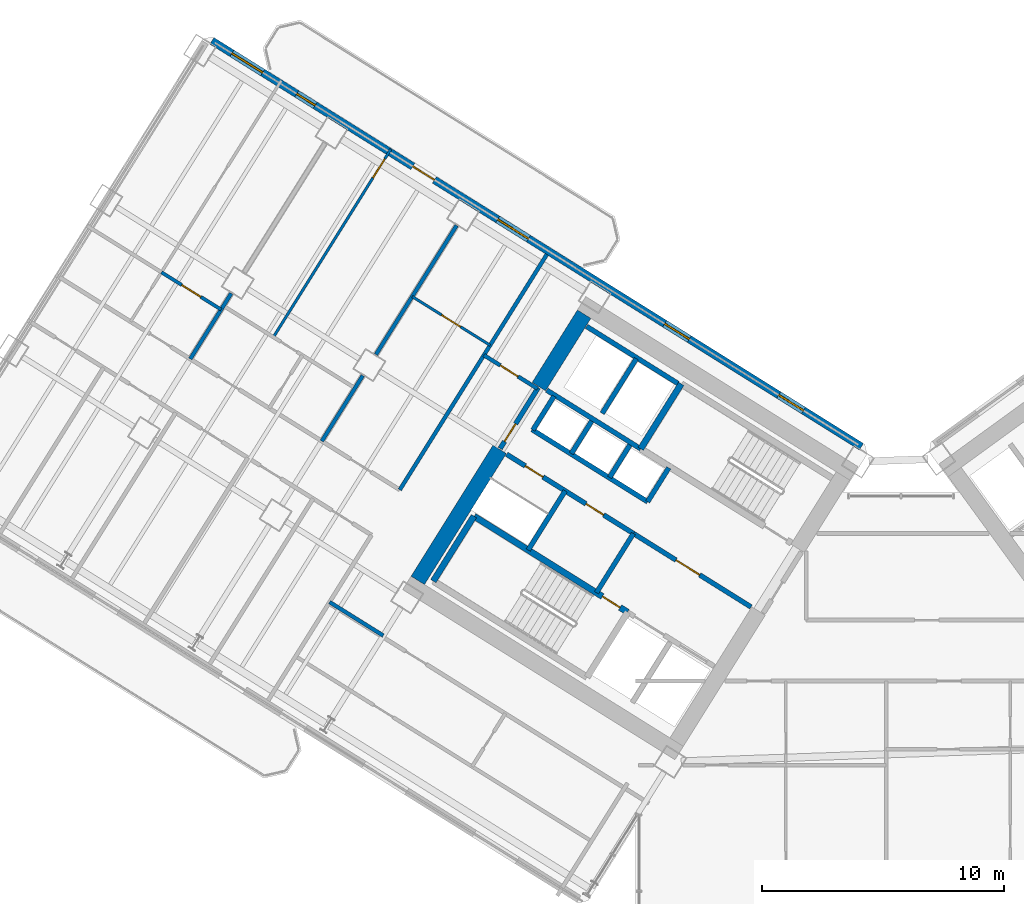
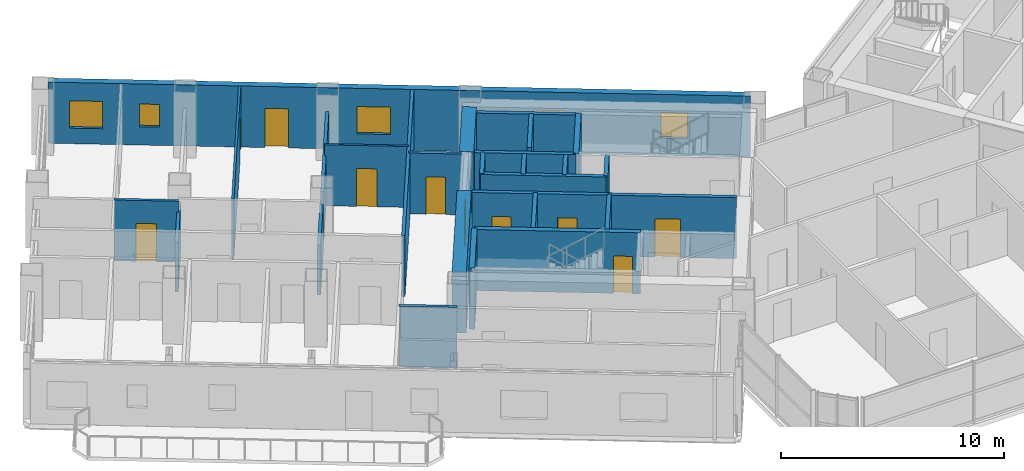
# One storey, part 16 of 28: 28 walls, 10 doors, 5 windows, 15 openings.
"""IFC4 building model written with IfcOpenShell, lengths in metres."""

from ifc_helpers import new_model, si_unit, direction, frame, frame_2d, origin, place, context, subcontext, project, spatial, rectangle, extrude, source, transform, mapped, material, layer, layer_set, type_object, element, fill, save


model = new_model("IFC4")

# Units and contexts
model_context = context("Model", 3, precision=1e-05, world=origin(), true_north=direction((0.0, 1.0)))
body_context = subcontext(model_context, "Body", "Model", "MODEL_VIEW")
ifc_project = project(units=[si_unit("LENGTHUNIT", "METRE"), si_unit("AREAUNIT", "SQUARE_METRE"), si_unit("VOLUMEUNIT", "CUBIC_METRE"), si_unit("PLANEANGLEUNIT", "RADIAN"), si_unit("MASSUNIT", "GRAM", prefix="KILO")], contexts=[model_context])

# Site, building, storey
site_placement = place(None, origin())
site = spatial("IfcSite", under=ifc_project, at=site_placement, CompositionType="ELEMENT")
building_placement = place(site_placement, origin())
building = spatial("IfcBuilding", under=site, at=building_placement, Name="Tlacorven Tower", CompositionType="ELEMENT")
storey_placement = place(building_placement, frame((0.0, 0.0, 56.39990234375)))
storey = spatial("IfcBuildingStorey", under=building, at=storey_placement, Name="L14", CompositionType="ELEMENT", Elevation=56.39990234375)

# Walls
ifc_material_1 = material(Name="Concrete C60/75", Category="concrete")
ifc_layer_1 = layer(ifc_material_1, 0.64990234375)
ifc_layer_set_1 = layer_set([ifc_layer_1], Name="Concrete C60/75")
wall_type_1 = type_object("IfcWallType", Name="WL-COR-650", PredefinedType="SHEAR", material=ifc_layer_set_1)
wall_1_placement = place(storey_placement, frame((29.49072265625, 30.5517578125, 0.0), z_axis=(0.0, 0.0, 1.0), x_axis=(-0.529893103397, -0.8480644427, 0.0)))
element("IfcWall", 1, at=wall_1_placement, inside=storey, type_object=wall_type_1, Name="L14 W core end wall E2.1", PredefinedType="SHEAR", context=body_context, shape_type="SweptSolid", body=[
    extrude(rectangle(XDim=3.525146484375, YDim=0.64990234375, at=frame_2d((1.7626953125, 0.0))), origin(), (0.0, 0.0, 1.0), 3.35009765625),
])
wall_2_placement = place(storey_placement, frame((26.006591796875, 24.975830078125, 0.0), z_axis=(0.0, 0.0, 1.0), x_axis=(-0.529916319127, -0.848049936456, 0.0)))
element("IfcWall", 2, at=wall_2_placement, inside=storey, type_object=wall_type_1, Name="L14 W core end wall E2.2", PredefinedType="SHEAR", context=body_context, shape_type="SweptSolid", body=[
    extrude(rectangle(XDim=6.375, YDim=0.64990234375, at=frame_2d((3.1875, 0.0))), origin(), (0.0, 0.0, 1.0), 3.35009765625),
])

# Wall, opening, door
ifc_material_2 = material(Name="Gypsum plasterboard acoustic partition", Category="gypsum")
ifc_layer_2 = layer(ifc_material_2, 0.159912109375)
ifc_layer_set_2 = layer_set([ifc_layer_2], Name="Gypsum plasterboard acoustic partition")
wall_type_2 = type_object("IfcWallType", Name="WL-DEM-160", PredefinedType="PARTITIONING", material=ifc_layer_set_2)
wall_3_placement = place(storey_placement, frame((27.56982421875, 27.4775390625, 0.0), z_axis=(0.0, 0.0, 1.0), x_axis=(-0.848050851465, 0.529914854792, 0.0)))
wall_3 = element("IfcWall", 3, at=wall_3_placement, inside=storey, type_object=wall_type_2, Name="L14 partition 47", PredefinedType="PARTITIONING", context=body_context, shape_type="SweptSolid", body=[
    extrude(rectangle(XDim=2.60986328125, YDim=0.159912109375, at=frame_2d((1.304931640625, 0.0))), origin(), (0.0, 0.0, 1.0), 3.340087890625),
])
opening_1_placement = place(wall_3_placement, frame((0.949951171875, 0.0, 0.0)))
opening_1 = element("IfcOpeningElement", 4, at=opening_1_placement, cuts=wall_3, Name="Opening D19", PredefinedType="OPENING", context=body_context, shape_type="SweptSolid", body=[
    extrude(rectangle(XDim=0.860107421875, YDim=2.050048828125, at=frame_2d((0.43017578125, 1.02490234375))), frame((0.0, 0.08984375, 0.0), z_axis=(0.0, -1.0, 0.0), x_axis=(1.0, 0.0, 0.0)), (0.0, 0.0, 1.0), 0.179931640625),
])
ifc_material_3 = material(Name="Fire-rated steel door assembly", Category="steel")
door_type_1 = type_object("IfcDoorType", Name="DR-RSR-FD60-0860", OperationType="NOTDEFINED", PredefinedType="DOOR", material=ifc_material_3)
shared_shape_1 = source(origin(), body_context, "Body", "SweptSolid", [
    extrude(rectangle(XDim=0.860107421875, YDim=2.050048828125, at=frame_2d((0.43017578125, 1.02490234375))), frame((0.0, 0.02490234375, 0.0), z_axis=(0.0, -1.0, 0.0), x_axis=(1.0, 0.0, 0.0)), (0.0, 0.0, 1.0), 0.050048828125),
])
door_1_placement = place(opening_1_placement, frame((0.860107421875, 0.0, 0.0), z_axis=(0.0, 0.0, 1.0), x_axis=(-1.0, 0.0, 0.0)))
door_1 = element("IfcDoor", 5, at=door_1_placement, inside=storey, type_object=door_type_1, Name="L14 door 019", OperationType="SINGLE_SWING_RIGHT", OverallHeight=2.050048828125, OverallWidth=0.860107421875, PredefinedType="DOOR", context=body_context, shape_type="MappedRepresentation", body=[
    mapped(shared_shape_1, transform((0.0, 0.0, 0.0), scale=1.0)),
])
fill(opening_1, door_1)

# Walls
wall_4_placement = place(storey_placement, frame((21.20556640625, 17.29248046875, 0.0), z_axis=(0.0, 0.0, 1.0), x_axis=(-0.848050851465, 0.529914854792, 0.0)))
element("IfcWall", 6, at=wall_4_placement, inside=storey, type_object=wall_type_2, Name="L14 partition 48", PredefinedType="PARTITIONING", context=body_context, shape_type="SweptSolid", body=[
    extrude(rectangle(XDim=2.60986328125, YDim=0.159912109375, at=frame_2d((1.304931640625, 0.0))), origin(), (0.0, 0.0, 1.0), 3.340087890625),
])
wall_5_placement = place(storey_placement, frame((27.952880859375, 33.01611328125, 0.0), z_axis=(0.0, 0.0, 1.0), x_axis=(-0.529905022231, -0.848056995381, 0.0)))
element("IfcWall", 7, at=wall_5_placement, inside=storey, type_object=wall_type_2, Name="L14 partition 49", PredefinedType="PARTITIONING", context=body_context, shape_type="SweptSolid", body=[
    extrude(rectangle(XDim=11.449951171875, YDim=0.159912109375, at=frame_2d((5.72509765625, 0.0))), origin(), (0.0, 0.0, 1.0), 3.340087890625),
])
wall_6_placement = place(storey_placement, frame((24.22900390625, 34.208740234375, 0.0), z_axis=(0.0, 0.0, 1.0), x_axis=(-0.529897533635, -0.848061674554, 0.0)))
element("IfcWall", 8, at=wall_6_placement, inside=storey, type_object=wall_type_2, Name="L14 WS Demising Wall 1", PredefinedType="PARTITIONING", context=body_context, shape_type="SweptSolid", body=[
    extrude(rectangle(XDim=6.276123046875, YDim=0.159912109375, at=frame_2d((3.13818359375, 0.0))), origin(), (0.0, 0.0, 1.0), 2.72509765625),
])
for number, where, z_axis, x_axis, name in (
    (9, (20.360595703125, 28.017822265625, 0.0), (0.0, 0.0, 1.0), (-0.529875025416, -0.848075738033, 0.0), "L14 WS Demising Wall 1"),
    (10, (14.93310546875, 31.409423828125, 0.0), (0.0, 0.0, 1.0), (-0.529875025416, -0.848075738033, 0.0), "L14 WS Demising Wall 2"),
):
    element("IfcWall", number, at=place(storey_placement, frame(where, z_axis=z_axis, x_axis=x_axis)), inside=storey, type_object=wall_type_2, Name=name, PredefinedType="PARTITIONING", context=body_context, shape_type="SweptSolid", body=[
        extrude(rectangle(XDim=3.18798828125, YDim=0.159912109375, at=frame_2d((1.593994140625, 0.0))), origin(), (0.0, 0.0, 1.0), 2.72509765625),
    ])

# Wall, openings, door, windows
ifc_material_4 = material(Name="Precast concrete C45/55", Category="concrete")
ifc_layer_3 = layer(ifc_material_4, 0.320068359375)
ifc_layer_set_3 = layer_set([ifc_layer_3], Name="Precast concrete C45/55")
wall_type_3 = type_object("IfcWallType", Name="WL-EXT-320", PredefinedType="STANDARD", material=ifc_layer_set_3)
wall_7_placement = place(storey_placement, frame((14.13818359375, 41.825439453125, 0.0), z_axis=(0.0, 0.0, 1.0), x_axis=(0.848046498049, -0.529921821731, 0.0)))
wall_7 = element("IfcWall", 11, at=wall_7_placement, inside=storey, type_object=wall_type_3, Name="L14 Masonry-Frame Recessed Facade Wall 3", PredefinedType="STANDARD", context=body_context, shape_type="SweptSolid", body=[
    extrude(rectangle(XDim=31.587646484375, YDim=0.320068359375, at=frame_2d((15.7939453125, 0.0))), origin(), (0.0, 0.0, 1.0), 3.35009765625),
])
opening_2_placement = place(wall_7_placement, frame((9.77197265625, 0.0, 0.0)))
opening_2 = element("IfcOpeningElement", 12, at=opening_2_placement, cuts=wall_7, Name="Opening D06", PredefinedType="OPENING", context=body_context, shape_type="SweptSolid", body=[
    extrude(rectangle(XDim=1.050048828125, YDim=2.14990234375, at=frame_2d((0.52490234375, 1.074951171875))), frame((0.0, 0.169921875, 0.0), z_axis=(0.0, -1.0, 0.0), x_axis=(1.0, 0.0, 0.0)), (0.0, 0.0, 1.0), 0.340087890625),
])
opening_3_placement = place(wall_7_placement, frame((0.96630859375, 0.0, 0.85009765625)))
opening_3 = element("IfcOpeningElement", 13, at=opening_3_placement, cuts=wall_7, Name="Opening WN02", PredefinedType="OPENING", context=body_context, shape_type="SweptSolid", body=[
    extrude(rectangle(XDim=1.5, YDim=1.5, at=frame_2d((0.75, 0.75))), frame((0.0, 0.169921875, 0.0), z_axis=(0.0, -1.0, 0.0), x_axis=(1.0, 0.0, 0.0)), (0.0, 0.0, 1.0), 0.340087890625),
])
opening_4_placement = place(wall_7_placement, frame((4.12109375, 0.0, 1.0)))
opening_4 = element("IfcOpeningElement", 14, at=opening_4_placement, cuts=wall_7, Name="Opening WN05", PredefinedType="OPENING", context=body_context, shape_type="SweptSolid", body=[
    extrude(rectangle(XDim=0.89990234375, YDim=1.25, at=frame_2d((0.449951171875, 0.625))), frame((0.0, 0.169921875, 0.0), z_axis=(0.0, -1.0, 0.0), x_axis=(1.0, 0.0, 0.0)), (0.0, 0.0, 1.0), 0.340087890625),
])
opening_5_placement = place(wall_7_placement, frame((13.898681640625, 0.0, 0.85009765625)))
opening_5 = element("IfcOpeningElement", 15, at=opening_5_placement, cuts=wall_7, Name="Opening WN02", PredefinedType="OPENING", context=body_context, shape_type="SweptSolid", body=[
    extrude(rectangle(XDim=1.5, YDim=1.5, at=frame_2d((0.75, 0.75))), frame((0.0, 0.169921875, 0.0), z_axis=(0.0, -1.0, 0.0), x_axis=(1.0, 0.0, 0.0)), (0.0, 0.0, 1.0), 0.340087890625),
])
opening_6_placement = place(wall_7_placement, frame((22.018798828125, 0.0, 0.949951171875)))
opening_6 = element("IfcOpeningElement", 16, at=opening_6_placement, cuts=wall_7, Name="Opening WN03", PredefinedType="OPENING", context=body_context, shape_type="SweptSolid", body=[
    extrude(rectangle(XDim=1.199951171875, YDim=1.39990234375, at=frame_2d((0.60009765625, 0.699951171875))), frame((0.0, 0.169921875, 0.0), z_axis=(0.0, -1.0, 0.0), x_axis=(1.0, 0.0, 0.0)), (0.0, 0.0, 1.0), 0.340087890625),
])
opening_7_placement = place(wall_7_placement, frame((27.568603515625, 0.0, 0.949951171875)))
opening_7 = element("IfcOpeningElement", 17, at=opening_7_placement, cuts=wall_7, Name="Opening WN03", PredefinedType="OPENING", context=body_context, shape_type="SweptSolid", body=[
    extrude(rectangle(XDim=1.199951171875, YDim=1.39990234375, at=frame_2d((0.60009765625, 0.699951171875))), frame((0.0, 0.169921875, 0.0), z_axis=(0.0, -1.0, 0.0), x_axis=(1.0, 0.0, 0.0)), (0.0, 0.0, 1.0), 0.340087890625),
])
ifc_material_5 = material(Name="Powder-coated aluminium and timber door", Category="wood")
door_type_2 = type_object("IfcDoorType", Name="DR-EXT-BALC-1050", OperationType="NOTDEFINED", PredefinedType="DOOR", material=ifc_material_5)
shared_shape_2 = source(origin(), body_context, "Body", "SweptSolid", [
    extrude(rectangle(XDim=1.050048828125, YDim=2.14990234375, at=frame_2d((0.52490234375, 1.074951171875))), frame((0.0, 0.02490234375, 0.0), z_axis=(0.0, -1.0, 0.0), x_axis=(1.0, 0.0, 0.0)), (0.0, 0.0, 1.0), 0.050048828125),
])
door_2_placement = place(opening_2_placement, origin())
door_2 = element("IfcDoor", 18, at=door_2_placement, inside=storey, type_object=door_type_2, Name="L14 Outdoor Access Door BAL-L14-W-IN", OperationType="SINGLE_SWING_RIGHT", OverallHeight=2.14990234375, OverallWidth=1.050048828125, PredefinedType="DOOR", context=body_context, shape_type="MappedRepresentation", body=[
    mapped(shared_shape_2, transform((0.0, 0.0, 0.0), scale=1.0)),
])
fill(opening_2, door_2)
ifc_material_6 = material(Name="Dark solar low-E double glazing in anodised aluminium frame", Category="aluminium")
window_type_1 = type_object("IfcWindowType", Name="WN-APT-1200X1500", PartitioningType="SINGLE_PANEL", PredefinedType="WINDOW", material=ifc_material_6)
shared_shape_3 = source(origin(), body_context, "Body", "SweptSolid", [
    extrude(rectangle(XDim=1.199951171875, YDim=1.39990234375, at=frame_2d((0.60009765625, 0.699951171875))), frame((0.0, 0.030029296875, 0.0), z_axis=(0.0, -1.0, 0.0), x_axis=(1.0, 0.0, 0.0)), (0.0, 0.0, 1.0), 0.06005859375),
])
window_1_placement = place(opening_6_placement, origin())
window_1 = element("IfcWindow", 19, at=window_1_placement, inside=storey, type_object=window_type_1, Name="L14 Recessed Masonry-Frame Window L14-03.4", OverallHeight=1.39990234375, OverallWidth=1.199951171875, PartitioningType="SINGLE_PANEL", PredefinedType="WINDOW", context=body_context, shape_type="MappedRepresentation", body=[
    mapped(shared_shape_3, transform((0.0, 0.0, 0.0), scale=1.0)),
])
fill(opening_6, window_1)
window_2_placement = place(opening_7_placement, origin())
window_2 = element("IfcWindow", 20, at=window_2_placement, inside=storey, type_object=window_type_1, Name="L14 Recessed Masonry-Frame Window L14-03.5", OverallHeight=1.39990234375, OverallWidth=1.199951171875, PartitioningType="SINGLE_PANEL", PredefinedType="WINDOW", context=body_context, shape_type="MappedRepresentation", body=[
    mapped(shared_shape_3, transform((0.0, 0.0, 0.0), scale=1.0)),
])
fill(opening_7, window_2)
window_type_2 = type_object("IfcWindowType", Name="WN-APT-1500X1650", PartitioningType="SINGLE_PANEL", PredefinedType="WINDOW", material=ifc_material_6)
shared_shape_4 = source(origin(), body_context, "Body", "SweptSolid", [
    extrude(rectangle(XDim=1.5, YDim=1.5, at=frame_2d((0.75, 0.75))), frame((0.0, 0.030029296875, 0.0), z_axis=(0.0, -1.0, 0.0), x_axis=(1.0, 0.0, 0.0)), (0.0, 0.0, 1.0), 0.06005859375),
])
window_3_placement = place(opening_3_placement, origin())
window_3 = element("IfcWindow", 21, at=window_3_placement, inside=storey, type_object=window_type_2, Name="L14 Recessed Masonry-Frame Window L14-03.1", OverallHeight=1.5, OverallWidth=1.5, PartitioningType="SINGLE_PANEL", PredefinedType="WINDOW", context=body_context, shape_type="MappedRepresentation", body=[
    mapped(shared_shape_4, transform((0.0, 0.0, 0.0), scale=1.0)),
])
fill(opening_3, window_3)
window_4_placement = place(opening_5_placement, origin())
window_4 = element("IfcWindow", 22, at=window_4_placement, inside=storey, type_object=window_type_2, Name="L14 Recessed Masonry-Frame Window L14-03.3", OverallHeight=1.5, OverallWidth=1.5, PartitioningType="SINGLE_PANEL", PredefinedType="WINDOW", context=body_context, shape_type="MappedRepresentation", body=[
    mapped(shared_shape_4, transform((0.0, 0.0, 0.0), scale=1.0)),
])
fill(opening_5, window_4)
window_type_3 = type_object("IfcWindowType", Name="WN-APT-0900X1350", PartitioningType="SINGLE_PANEL", PredefinedType="WINDOW", material=ifc_material_6)
shared_shape_5 = source(origin(), body_context, "Body", "SweptSolid", [
    extrude(rectangle(XDim=0.89990234375, YDim=1.25, at=frame_2d((0.449951171875, 0.625))), frame((0.0, 0.030029296875, 0.0), z_axis=(0.0, -1.0, 0.0), x_axis=(1.0, 0.0, 0.0)), (0.0, 0.0, 1.0), 0.06005859375),
])
window_5_placement = place(opening_4_placement, origin())
window_5 = element("IfcWindow", 23, at=window_5_placement, inside=storey, type_object=window_type_3, Name="L14 Recessed Masonry-Frame Window L14-03.2", OverallHeight=1.25, OverallWidth=0.89990234375, PartitioningType="SINGLE_PANEL", PredefinedType="WINDOW", context=body_context, shape_type="MappedRepresentation", body=[
    mapped(shared_shape_5, transform((0.0, 0.0, 0.0), scale=1.0)),
])
fill(opening_4, window_5)

# Wall, opening, door
ifc_material_7 = material(Name="Gypsum plasterboard partition", Category="gypsum")
ifc_layer_4 = layer(ifc_material_7, 0.110107421875)
ifc_layer_set_4 = layer_set([ifc_layer_4], Name="Gypsum plasterboard partition")
wall_type_4 = type_object("IfcWallType", Name="WL-INT-110", PredefinedType="PARTITIONING", material=ifc_layer_set_4)
wall_8_placement = place(storey_placement, frame((25.61181640625, 29.269287109375, 0.0), z_axis=(0.0, 0.0, 1.0), x_axis=(-0.84803087207, 0.529946827537, 0.0)))
wall_8 = element("IfcWall", 24, at=wall_8_placement, inside=storey, type_object=wall_type_4, Name="L14 partition 59", PredefinedType="PARTITIONING", context=body_context, shape_type="SweptSolid", body=[
    extrude(rectangle(XDim=3.7900390625, YDim=0.110107421875, at=frame_2d((1.89501953125, 0.0))), origin(), (0.0, 0.0, 1.0), 3.340087890625),
])
opening_8_placement = place(wall_8_placement, frame((1.43505859375, 0.0, 0.0)))
opening_8 = element("IfcOpeningElement", 25, at=opening_8_placement, cuts=wall_8, Name="Opening D12", PredefinedType="OPENING", context=body_context, shape_type="SweptSolid", body=[
    extrude(rectangle(XDim=0.919921875, YDim=2.080078125, at=frame_2d((0.4599609375, 1.0400390625))), frame((0.0, 0.06494140625, 0.0), z_axis=(0.0, -1.0, 0.0), x_axis=(1.0, 0.0, 0.0)), (0.0, 0.0, 1.0), 0.130126953125),
])
door_type_3 = type_object("IfcDoorType", Name="DR-INT-ROOM-0920", OperationType="NOTDEFINED", PredefinedType="DOOR", material=ifc_material_5)
shared_shape_6 = source(origin(), body_context, "Body", "SweptSolid", [
    extrude(rectangle(XDim=0.919921875, YDim=2.080078125, at=frame_2d((0.4599609375, 1.0400390625))), frame((0.0, 0.02490234375, 0.0), z_axis=(0.0, -1.0, 0.0), x_axis=(1.0, 0.0, 0.0)), (0.0, 0.0, 1.0), 0.050048828125),
])
door_3_placement = place(opening_8_placement, origin())
door_3 = element("IfcDoor", 26, at=door_3_placement, inside=storey, type_object=door_type_3, Name="L14 door 027", OperationType="SINGLE_SWING_LEFT", OverallHeight=2.080078125, OverallWidth=0.919921875, PredefinedType="DOOR", context=body_context, shape_type="MappedRepresentation", body=[
    mapped(shared_shape_6, transform((0.0, 0.0, 0.0), scale=1.0)),
])
fill(opening_8, door_3)

wall_9_placement = place(storey_placement, frame((21.516845703125, 37.356201171875, 0.0), z_axis=(0.0, 0.0, 1.0), x_axis=(-0.529919705034, -0.848047820713, 0.0)))
wall_9 = element("IfcWall", 27, at=wall_9_placement, inside=storey, type_object=wall_type_4, Name="L14 partition 63", PredefinedType="PARTITIONING", context=body_context, shape_type="SweptSolid", body=[
    extrude(rectangle(XDim=9.14013671875, YDim=0.110107421875, at=frame_2d((4.570068359375, 0.0))), origin(), (0.0, 0.0, 1.0), 3.340087890625),
])
opening_9_placement = place(wall_9_placement, frame((0.469970703125, 0.0, 0.0)))
opening_9 = element("IfcOpeningElement", 28, at=opening_9_placement, cuts=wall_9, Name="Opening D12", PredefinedType="OPENING", context=body_context, shape_type="SweptSolid", body=[
    extrude(rectangle(XDim=0.919921875, YDim=2.080078125, at=frame_2d((0.4599609375, 1.0400390625))), frame((0.0, 0.06494140625, 0.0), z_axis=(0.0, -1.0, 0.0), x_axis=(1.0, 0.0, 0.0)), (0.0, 0.0, 1.0), 0.130126953125),
])
door_4_placement = place(opening_9_placement, origin())
door_4 = element("IfcDoor", 29, at=door_4_placement, inside=storey, type_object=door_type_3, Name="L14 door 028", OperationType="SINGLE_SWING_RIGHT", OverallHeight=2.080078125, OverallWidth=0.919921875, PredefinedType="DOOR", context=body_context, shape_type="MappedRepresentation", body=[
    mapped(shared_shape_6, transform((0.0, 0.0, 0.0), scale=1.0)),
])
fill(opening_9, door_4)

ifc_material_8 = material(Name="Moisture-resistant gypsum plumbing wall", Category="gypsum")
ifc_layer_5 = layer(ifc_material_8, 0.139892578125)
ifc_layer_set_5 = layer_set([ifc_layer_5], Name="Moisture-resistant gypsum plumbing wall")
wall_type_5 = type_object("IfcWallType", Name="WL-PLM-140", PredefinedType="PLUMBINGWALL", material=ifc_layer_set_5)
wall_10_placement = place(storey_placement, frame((14.515625, 30.7412109375, 0.0), z_axis=(0.0, 0.0, 1.0), x_axis=(-0.848059786386, 0.529900555496, 0.0)))
wall_10 = element("IfcWall", 30, at=wall_10_placement, inside=storey, type_object=wall_type_5, Name="L14 partition 66", PredefinedType="PLUMBINGWALL", context=body_context, shape_type="SweptSolid", body=[
    extrude(rectangle(XDim=2.89990234375, YDim=0.139892578125, at=frame_2d((1.449951171875, 0.0))), origin(), (0.0, 0.0, 1.0), 3.340087890625),
])
opening_10_placement = place(wall_10_placement, frame((0.989990234375, 0.0, 0.0)))
opening_10 = element("IfcOpeningElement", 31, at=opening_10_placement, cuts=wall_10, Name="Opening D12", PredefinedType="OPENING", context=body_context, shape_type="SweptSolid", body=[
    extrude(rectangle(XDim=0.919921875, YDim=2.080078125, at=frame_2d((0.4599609375, 1.0400390625))), frame((0.0, 0.080078125, 0.0), z_axis=(0.0, -1.0, 0.0), x_axis=(1.0, 0.0, 0.0)), (0.0, 0.0, 1.0), 0.159912109375),
])
door_5_placement = place(opening_10_placement, origin())
door_5 = element("IfcDoor", 32, at=door_5_placement, inside=storey, type_object=door_type_3, Name="L14 door 034", OperationType="SINGLE_SWING_RIGHT", OverallHeight=2.080078125, OverallWidth=0.919921875, PredefinedType="DOOR", context=body_context, shape_type="MappedRepresentation", body=[
    mapped(shared_shape_6, transform((0.0, 0.0, 0.0), scale=1.0)),
])
fill(opening_10, door_5)

ifc_material_9 = material(Name="Concrete C40/50", Category="concrete")
ifc_layer_6 = layer(ifc_material_9, 0.199951171875)
ifc_layer_set_6 = layer_set([ifc_layer_6], Name="Concrete C40/50")
wall_type_6 = type_object("IfcWallType", Name="WL-SHF-200", PredefinedType="STANDARD", material=ifc_layer_set_6)
wall_11_placement = place(storey_placement, frame((36.374267578125, 18.4736328125, 0.0), z_axis=(0.0, 0.0, 1.0), x_axis=(-0.848051071577, 0.529914502535, 0.0)))
wall_11 = element("IfcWall", 33, at=wall_11_placement, inside=storey, type_object=wall_type_6, Name="L14 Core W Smoke Lobby Wall", PredefinedType="STANDARD", context=body_context, shape_type="SweptSolid", body=[
    extrude(rectangle(XDim=5.718017578125, YDim=0.199951171875, at=frame_2d((2.85888671875, 0.0))), origin(), (0.0, 0.0, 1.0), 3.340087890625),
])
opening_11_placement = place(wall_11_placement, frame((2.498046875, 0.0, 0.0)))
opening_11 = element("IfcOpeningElement", 34, at=opening_11_placement, cuts=wall_11, Name="Opening D09", PredefinedType="OPENING", context=body_context, shape_type="SweptSolid", body=[
    extrude(rectangle(XDim=1.14990234375, YDim=2.10009765625, at=frame_2d((0.574951171875, 1.050048828125))), frame((0.0, 0.10986328125, 0.0), z_axis=(0.0, -1.0, 0.0), x_axis=(1.0, 0.0, 0.0)), (0.0, 0.0, 1.0), 0.219970703125),
])
door_type_4 = type_object("IfcDoorType", Name="DR-FFL-FD60-1150", OperationType="NOTDEFINED", PredefinedType="DOOR", material=ifc_material_3)
shared_shape_7 = source(origin(), body_context, "Body", "SweptSolid", [
    extrude(rectangle(XDim=1.14990234375, YDim=2.10009765625, at=frame_2d((0.574951171875, 1.050048828125))), frame((0.0, 0.02490234375, 0.0), z_axis=(0.0, -1.0, 0.0), x_axis=(1.0, 0.0, 0.0)), (0.0, 0.0, 1.0), 0.050048828125),
])
door_6_placement = place(opening_11_placement, origin())
door_6 = element("IfcDoor", 35, at=door_6_placement, inside=storey, type_object=door_type_4, Name="L14 Firefighting Lobby W Fire Door", OperationType="SINGLE_SWING_RIGHT", OverallHeight=2.10009765625, OverallWidth=1.14990234375, PredefinedType="DOOR", context=body_context, shape_type="MappedRepresentation", body=[
    mapped(shared_shape_7, transform((0.0, 0.0, 0.0), scale=1.0)),
])
fill(opening_11, door_6)

# Walls
wall_12_placement = place(storey_placement, frame((31.82177734375, 24.99755859375, 0.0), z_axis=(0.0, 0.0, 1.0), x_axis=(-0.848058348634, 0.529902856485, 0.0)))
element("IfcWall", 36, at=wall_12_placement, inside=storey, type_object=wall_type_6, Name="L14 Core W South Lift Shaft Wall", PredefinedType="STANDARD", context=body_context, shape_type="SweptSolid", body=[
    extrude(rectangle(XDim=4.568115234375, YDim=0.199951171875, at=frame_2d((2.2841796875, 0.0))), origin(), (0.0, 0.0, 1.0), 3.340087890625),
])
wall_13_placement = place(storey_placement, frame((32.108154296875, 22.81396484375, 0.0), z_axis=(0.0, 0.0, 1.0), x_axis=(-0.848042229521, 0.529928652696, 0.0)))
element("IfcWall", 37, at=wall_13_placement, inside=storey, type_object=wall_type_6, Name="L14 partition 11", PredefinedType="STANDARD", context=body_context, shape_type="SweptSolid", body=[
    extrude(rectangle(XDim=5.6201171875, YDim=0.199951171875, at=frame_2d((2.81005859375, 0.0))), origin(), (0.0, 0.0, 1.0), 3.340087890625),
])
wall_14_placement = place(storey_placement, frame((32.982421875, 24.21337890625, 0.0), z_axis=(0.0, 0.0, 1.0), x_axis=(-0.529839334948, -0.84809803628, 0.0)))
element("IfcWall", 38, at=wall_14_placement, inside=storey, type_object=wall_type_6, Name="L14 partition 12", PredefinedType="STANDARD", context=body_context, shape_type="SweptSolid", body=[
    extrude(rectangle(XDim=1.650146484375, YDim=0.199951171875, at=frame_2d((0.8251953125, 0.0))), origin(), (0.0, 0.0, 1.0), 3.340087890625),
])
wall_15_placement = place(storey_placement, frame((28.250244140625, 27.170166015625, 0.0), z_axis=(0.0, 0.0, 1.0), x_axis=(-0.529905827651, -0.848056492117, 0.0)))
element("IfcWall", 39, at=wall_15_placement, inside=storey, type_object=wall_type_6, Name="L14 partition 13", PredefinedType="STANDARD", context=body_context, shape_type="SweptSolid", body=[
    extrude(rectangle(XDim=1.64990234375, YDim=0.199951171875, at=frame_2d((0.824951171875, 0.0))), origin(), (0.0, 0.0, 1.0), 3.340087890625),
])
wall_16_placement = place(storey_placement, frame((31.645263671875, 28.716064453125, 0.0), z_axis=(0.0, 0.0, 1.0), x_axis=(-0.52986693015, -0.848080795876, 0.0)))
element("IfcWall", 40, at=wall_16_placement, inside=storey, type_object=wall_type_6, Name="L14 partition 15", PredefinedType="STANDARD", context=body_context, shape_type="SweptSolid", body=[
    extrude(rectangle(XDim=2.659912109375, YDim=0.199951171875, at=frame_2d((1.330078125, 0.0))), origin(), (0.0, 0.0, 1.0), 3.340087890625),
])
wall_17_placement = place(storey_placement, frame((33.362548828125, 27.690185546875, 0.0), z_axis=(0.0, 0.0, 1.0), x_axis=(-0.848053806312, 0.529910125964, 0.0)))
element("IfcWall", 41, at=wall_17_placement, inside=storey, type_object=wall_type_6, Name="L14 partition 17", PredefinedType="STANDARD", context=body_context, shape_type="SweptSolid", body=[
    extrude(rectangle(XDim=4.44775390625, YDim=0.199951171875, at=frame_2d((2.223876953125, 0.0))), origin(), (0.0, 0.0, 1.0), 3.340087890625),
])
for number, where, z_axis, x_axis, name in (
    (42, (31.378662109375, 25.156494140625, 0.0), (0.0, 0.0, 1.0), (-0.529998940003, -0.847998304005, 0.0), "L14 partition 18"),
    (43, (29.80126953125, 26.14208984375, 0.0), (0.0, 0.0, 1.0), (-0.529998940003, -0.847998304005, 0.0), "L14 partition 19"),
):
    element("IfcWall", number, at=place(storey_placement, frame(where, z_axis=z_axis, x_axis=x_axis)), inside=storey, type_object=wall_type_6, Name=name, PredefinedType="STANDARD", context=body_context, shape_type="SweptSolid", body=[
        extrude(rectangle(XDim=1.580078125, YDim=0.199951171875, at=frame_2d((0.7900390625, 0.0))), origin(), (0.0, 0.0, 1.0), 3.340087890625),
    ])
for number, where, z_axis, x_axis, name in (
    (44, (31.525146484375, 21.503662109375, 0.0), (0.0, 0.0, 1.0), (-0.529907497854, -0.848055448493, 0.0), "L14 partition 20"),
    (45, (28.709716796875, 23.26318359375, 0.0), (0.0, 0.0, 1.0), (-0.529907497854, -0.848055448493, 0.0), "L14 partition 21"),
):
    element("IfcWall", number, at=place(storey_placement, frame(where, z_axis=z_axis, x_axis=x_axis)), inside=storey, type_object=wall_type_6, Name=name, PredefinedType="STANDARD", context=body_context, shape_type="SweptSolid", body=[
        extrude(rectangle(XDim=2.8798828125, YDim=0.199951171875, at=frame_2d((1.43994140625, 0.0))), origin(), (0.0, 0.0, 1.0), 3.340087890625),
    ])

# Wall, openings, doors
wall_18_placement = place(storey_placement, frame((31.525146484375, 21.503662109375, 0.0), z_axis=(0.0, 0.0, 1.0), x_axis=(-0.848044998614, 0.529924221305, 0.0)))
wall_18 = element("IfcWall", 46, at=wall_18_placement, inside=storey, type_object=wall_type_6, Name="L14 Core W North Service Wall", PredefinedType="STANDARD", context=body_context, shape_type="SweptSolid", body=[
    extrude(rectangle(XDim=6.16796875, YDim=0.199951171875, at=frame_2d((3.083984375, 0.0))), origin(), (0.0, 0.0, 1.0), 3.340087890625),
])
opening_12_placement = place(wall_18_placement, frame((4.39990234375, 0.0, 0.0)))
opening_12 = element("IfcOpeningElement", 47, at=opening_12_placement, cuts=wall_18, Name="Opening D19", PredefinedType="OPENING", context=body_context, shape_type="SweptSolid", body=[
    extrude(rectangle(XDim=0.860107421875, YDim=2.050048828125, at=frame_2d((0.43017578125, 1.02490234375))), frame((0.0, 0.10986328125, 0.0), z_axis=(0.0, -1.0, 0.0), x_axis=(1.0, 0.0, 0.0)), (0.0, 0.0, 1.0), 0.219970703125),
])
opening_13_placement = place(wall_18_placement, frame((1.449951171875, 0.0, 0.0)))
opening_13 = element("IfcOpeningElement", 48, at=opening_13_placement, cuts=wall_18, Name="Opening D19", PredefinedType="OPENING", context=body_context, shape_type="SweptSolid", body=[
    extrude(rectangle(XDim=0.860107421875, YDim=2.050048828125, at=frame_2d((0.43017578125, 1.02490234375))), frame((0.0, 0.10986328125, 0.0), z_axis=(0.0, -1.0, 0.0), x_axis=(1.0, 0.0, 0.0)), (0.0, 0.0, 1.0), 0.219970703125),
])
door_7_placement = place(opening_12_placement, frame((0.860107421875, 0.0, 0.0), z_axis=(0.0, 0.0, 1.0), x_axis=(-1.0, 0.0, 0.0)))
door_7 = element("IfcDoor", 49, at=door_7_placement, inside=storey, type_object=door_type_1, Name="L14 Electrical Riser Access Door W", OperationType="SINGLE_SWING_LEFT", OverallHeight=2.050048828125, OverallWidth=0.860107421875, PredefinedType="DOOR", context=body_context, shape_type="MappedRepresentation", body=[
    mapped(shared_shape_1, transform((0.0, 0.0, 0.0), scale=1.0)),
])
fill(opening_12, door_7)
door_8_placement = place(opening_13_placement, frame((0.860107421875, 0.0, 0.0), z_axis=(0.0, 0.0, 1.0), x_axis=(-1.0, 0.0, 0.0)))
door_8 = element("IfcDoor", 50, at=door_8_placement, inside=storey, type_object=door_type_1, Name="L14 Housekeeping Linen Access Door W", OperationType="SINGLE_SWING_RIGHT", OverallHeight=2.050048828125, OverallWidth=0.860107421875, PredefinedType="DOOR", context=body_context, shape_type="MappedRepresentation", body=[
    mapped(shared_shape_1, transform((0.0, 0.0, 0.0), scale=1.0)),
])
fill(opening_13, door_8)

# Wall, opening, door
wall_19_placement = place(storey_placement, frame((27.59619140625, 27.52001953125, 0.0), z_axis=(0.0, 0.0, 1.0), x_axis=(-0.529865479138, -0.848081702443, 0.0)))
wall_19 = element("IfcWall", 51, at=wall_19_placement, inside=storey, type_object=wall_type_6, Name="L14 partition 46", PredefinedType="STANDARD", context=body_context, shape_type="SweptSolid", body=[
    extrude(rectangle(XDim=2.9599609375, YDim=0.199951171875, at=frame_2d((1.47998046875, 0.0))), origin(), (0.0, 0.0, 1.0), 3.340087890625),
])
opening_14_placement = place(wall_19_placement, frame((1.760009765625, 0.0, 0.0)))
opening_14 = element("IfcOpeningElement", 52, at=opening_14_placement, cuts=wall_19, Name="Opening D19", PredefinedType="OPENING", context=body_context, shape_type="SweptSolid", body=[
    extrude(rectangle(XDim=0.860107421875, YDim=2.050048828125, at=frame_2d((0.43017578125, 1.02490234375))), frame((0.0, 0.10986328125, 0.0), z_axis=(0.0, -1.0, 0.0), x_axis=(1.0, 0.0, 0.0)), (0.0, 0.0, 1.0), 0.219970703125),
])
door_9_placement = place(opening_14_placement, origin())
door_9 = element("IfcDoor", 53, at=door_9_placement, inside=storey, type_object=door_type_1, Name="L14 door 020", OperationType="SINGLE_SWING_LEFT", OverallHeight=2.050048828125, OverallWidth=0.860107421875, PredefinedType="DOOR", context=body_context, shape_type="MappedRepresentation", body=[
    mapped(shared_shape_1, transform((0.0, 0.0, 0.0), scale=1.0)),
])
fill(opening_14, door_9)

ifc_material_10 = material(Name="Concrete C50/60", Category="concrete")
ifc_layer_7 = layer(ifc_material_10, 0.260009765625)
ifc_layer_set_7 = layer_set([ifc_layer_7], Name="Concrete C50/60")
wall_type_7 = type_object("IfcWallType", Name="WL-STW-260", PredefinedType="SHEAR", material=ifc_layer_set_7)
wall_20_placement = place(storey_placement, frame((31.279541015625, 18.26123046875, 0.0), z_axis=(0.0, 0.0, 1.0), x_axis=(-0.848051618787, 0.529913626805, 0.0)))
wall_20 = element("IfcWall", 54, at=wall_20_placement, inside=storey, type_object=wall_type_7, Name="L14 Stair W1 Lobby Shear Wall", PredefinedType="SHEAR", context=body_context, shape_type="SweptSolid", body=[
    extrude(rectangle(XDim=7.4599609375, YDim=0.260009765625, at=frame_2d((3.72998046875, 0.0))), origin(), (0.0, 0.0, 1.0), 3.35009765625),
])
opening_15_placement = place(wall_20_placement, frame((0.360107421875, 0.0, 0.0)))
opening_15 = element("IfcOpeningElement", 55, at=opening_15_placement, cuts=wall_20, Name="Opening D19", PredefinedType="OPENING", context=body_context, shape_type="SweptSolid", body=[
    extrude(rectangle(XDim=0.860107421875, YDim=2.050048828125, at=frame_2d((0.43017578125, 1.02490234375))), frame((0.0, 0.14013671875, 0.0), z_axis=(0.0, -1.0, 0.0), x_axis=(1.0, 0.0, 0.0)), (0.0, 0.0, 1.0), 0.280029296875),
])
door_10_placement = place(opening_15_placement, frame((0.860107421875, 0.0, 0.0), z_axis=(0.0, 0.0, 1.0), x_axis=(-1.0, 0.0, 0.0)))
door_10 = element("IfcDoor", 56, at=door_10_placement, inside=storey, type_object=door_type_1, Name="L14 Exit Stair W1 Fire Door", OperationType="SINGLE_SWING_LEFT", OverallHeight=2.050048828125, OverallWidth=0.860107421875, PredefinedType="DOOR", context=body_context, shape_type="MappedRepresentation", body=[
    mapped(shared_shape_1, transform((0.0, 0.0, 0.0), scale=1.0)),
])
fill(opening_15, door_10)

# Walls
for number, where, z_axis, x_axis, name in (
    (57, (24.944580078125, 22.2197265625, 0.0), (0.0, 0.0, 1.0), (-0.529908658664, -0.84805472316, 0.0), "L14 Stair W1 East Shear Wall"),
    (58, (33.496337890625, 27.677490234375, 0.0), (0.0, 0.0, 1.0), (-0.529908658664, -0.84805472316, 0.0), "L14 Stair W2 East Shear Wall"),
):
    element("IfcWall", number, at=place(storey_placement, frame(where, z_axis=z_axis, x_axis=x_axis)), inside=storey, type_object=wall_type_7, Name=name, PredefinedType="SHEAR", context=body_context, shape_type="SweptSolid", body=[
        extrude(rectangle(XDim=3.16015625, YDim=0.260009765625, at=frame_2d((1.580078125, 0.0))), origin(), (0.0, 0.0, 1.0), 3.35009765625),
    ])

save(model, "model.ifc")
